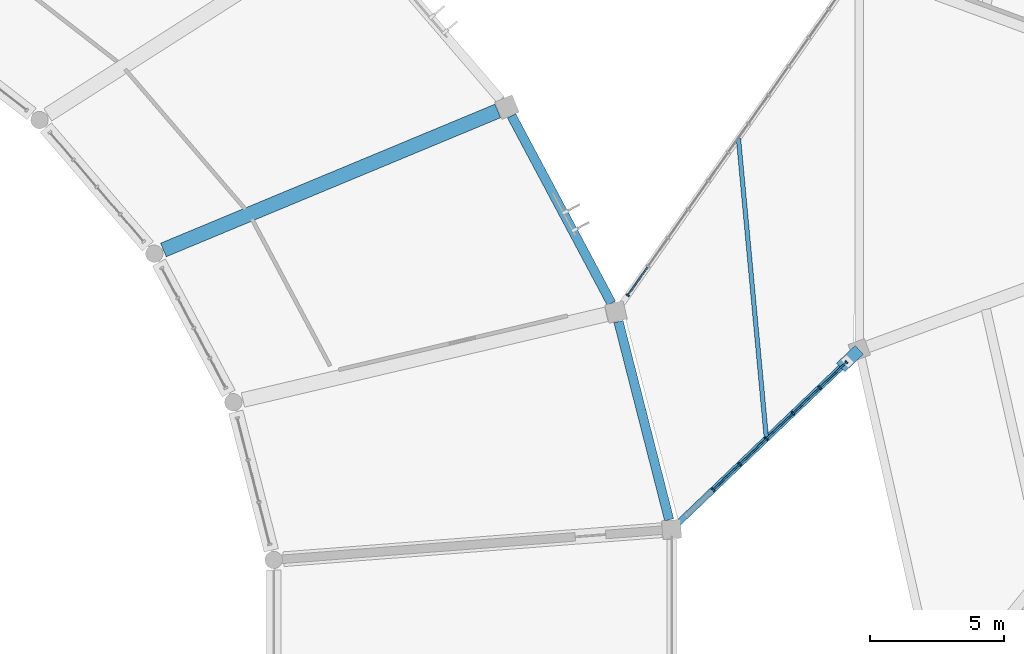
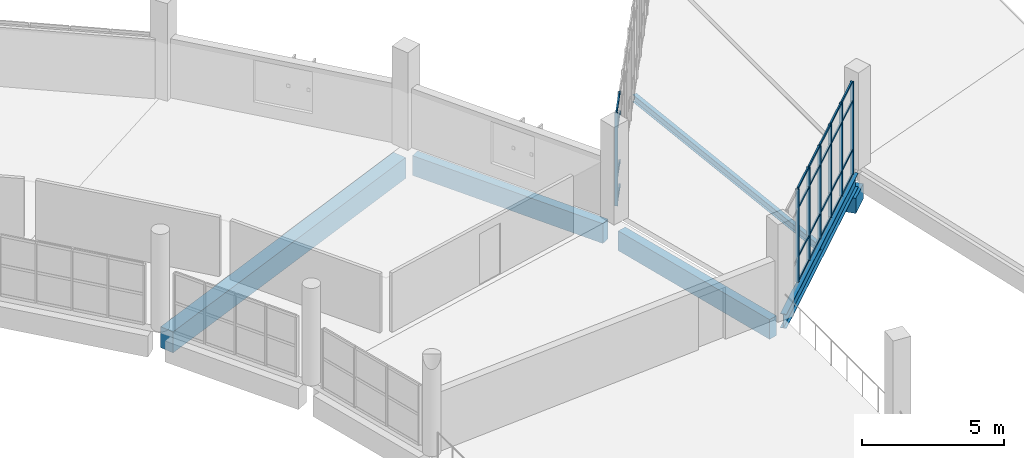
# One storey, part 51 of 142: 31 members, 6 beams, 2 elements without a shape of their own.
"""IFC4 building model written with IfcOpenShell, lengths in metres."""

from ifc_helpers import new_model, si_unit, direction, frame, origin, origin_2d, place, context, subcontext, project, spatial, rectangle, i_section, extrude, material, layer, layer_set, material_profile, profile_set, type_object, element, aggregate, save


model = new_model("IFC4")

# Units and contexts
model_context = context("Model", 3, precision=1e-05, world=origin(), true_north=direction((0.0, 1.0)))
body_context = subcontext(model_context, "Body", "Model", "MODEL_VIEW")
ifc_project = project(units=[si_unit("LENGTHUNIT", "METRE"), si_unit("AREAUNIT", "SQUARE_METRE"), si_unit("VOLUMEUNIT", "CUBIC_METRE"), si_unit("PLANEANGLEUNIT", "RADIAN"), si_unit("MASSUNIT", "GRAM", prefix="KILO")], contexts=[model_context])

# Site, building, storey
site_placement = place(None, origin())
site = spatial("IfcSite", under=ifc_project, at=site_placement, CompositionType="ELEMENT")
building_placement = place(site_placement, origin())
building = spatial("IfcBuilding", under=site, at=building_placement, Name="Corvandel Quay Wholesale Market", CompositionType="ELEMENT")
storey_placement = place(building_placement, frame((0.0, 0.0, 10.800048828125)))
storey = spatial("IfcBuildingStorey", under=building, at=storey_placement, Name="L02", CompositionType="ELEMENT", Elevation=10.800048828125)

# Beams
ifc_material_1 = material(Name="Steel A992 Grade 50", Category="steel")
ifc_material_profile_1 = material_profile(ifc_material_1, i_section(OverallWidth=0.1669921875, OverallDepth=0.318115234375, WebThickness=0.007568359375, FlangeThickness=0.01318359375, at=origin_2d()), Name="W12X35")
ifc_profile_set_1 = profile_set([ifc_material_profile_1], Name="Steel A992 Grade 50")
beam_type_1 = type_object("IfcBeamType", Name="Bridge Floor Steel Beam SB02 W12X35", PredefinedType="BEAM", material=ifc_profile_set_1)
beam_1_placement = place(storey_placement, frame((171.53515625, 49.532470703125, -0.380126953125), z_axis=(-0.092685397264, 0.995695443966, 0.0), x_axis=(-0.995695443966, -0.092685397264, 0.0)))
element("IfcBeam", 1, at=beam_1_placement, inside=storey, type_object=beam_type_1, Name="Beam BM-1800", PredefinedType="BEAM", context=body_context, shape_type="SweptSolid", body=[
    extrude(i_section(OverallWidth=0.1669921875, OverallDepth=0.318115234375, WebThickness=0.007568359375, FlangeThickness=0.01318359375, at=origin_2d()), origin(), (0.0, 0.0, 1.0), 11.252685546875),
])
ifc_material_profile_2 = material_profile(ifc_material_1, i_section(OverallWidth=0.22900390625, OverallDepth=0.612060546875, WebThickness=0.011962890625, FlangeThickness=0.01953125, at=origin_2d()), Name="W24X84")
ifc_profile_set_2 = profile_set([ifc_material_profile_2], Name="Steel A992 Grade 50")
beam_type_2 = type_object("IfcBeamType", Name="Bridge Link Steel Girder SG02 W24X84", PredefinedType="USERDEFINED", material=ifc_profile_set_2)
beam_2_placement = place(storey_placement, frame((168.263671875, 46.389404296875, -0.526123046875), z_axis=(0.722311160218, 0.691568209091, 0.0), x_axis=(-0.691568209091, 0.722311160218, 0.0)))
element("IfcBeam", 2, at=beam_2_placement, inside=storey, type_object=beam_type_2, Name="Beam BM-1797", ObjectType="GIRDER", PredefinedType="USERDEFINED", context=body_context, shape_type="SweptSolid", body=[
    extrude(i_section(OverallWidth=0.22900390625, OverallDepth=0.612060546875, WebThickness=0.011962890625, FlangeThickness=0.01953125, at=origin_2d()), origin(), (0.0, 0.0, 1.0), 9.06103515625),
])

# Curtain wall, members
ifc_material_2 = material(Name="Bronze anodised aluminium and low-E insulated glazing", Category="aluminium")
ifc_layer_1 = layer(ifc_material_2, 0.174072265625)
ifc_layer_set_1 = layer_set([ifc_layer_1], Name="Bronze anodised aluminium and low-E insulated glazing")
curtain_wall_type_1 = type_object("IfcCurtainWallType", Name="Stick Curtain Wall System CW27 H5430", PredefinedType="NOTDEFINED", material=ifc_layer_set_1)
curtain_wall_1_placement = place(storey_placement, origin())
curtain_wall_1 = element("IfcCurtainWall", 3, at=curtain_wall_1_placement, inside=storey, type_object=curtain_wall_type_1, Name="Curtain Wall CW-0178", PredefinedType="NOTDEFINED")
ifc_material_3 = material(Name="Anodised aluminium 6063-T6", Category="aluminium")
ifc_material_profile_3 = material_profile(ifc_material_3, rectangle(XDim=0.06005859375, YDim=0.1298828125, at=origin_2d()), Name="ALU-MUL-60x130")
ifc_profile_set_3 = profile_set([ifc_material_profile_3], Name="Anodised aluminium 6063-T6")
member_type_1 = type_object("IfcMemberType", Name="Clerestory Mullion ML03 60x130", PredefinedType="MULLION", material=ifc_profile_set_3)
member_1_placement = place(storey_placement, frame((169.547119140625, 47.6181640625, -0.030029296875), z_axis=(0.0, 0.0, 1.0), x_axis=(0.72236396206, 0.691513055782, 0.0)))
member_1 = element("IfcMember", 4, at=member_1_placement, type_object=member_type_1, Name="Mullion CW-0178-M01", PredefinedType="MULLION", context=body_context, shape_type="SweptSolid", body=[
    extrude(rectangle(XDim=0.06005859375, YDim=0.1298828125, at=origin_2d()), origin(), (0.0, 0.0, 1.0), 4.0),
])
member_2_placement = place(storey_placement, frame((170.54150390625, 48.5703125, -0.030029296875), z_axis=(0.0, 0.0, 1.0), x_axis=(0.72236396206, 0.691513055782, 0.0)))
member_2 = element("IfcMember", 5, at=member_2_placement, type_object=member_type_1, Name="Mullion CW-0178-M02", PredefinedType="MULLION", context=body_context, shape_type="SweptSolid", body=[
    extrude(rectangle(XDim=0.06005859375, YDim=0.1298828125, at=origin_2d()), origin(), (0.0, 0.0, 1.0), 4.0),
])
member_3_placement = place(storey_placement, frame((171.5361328125, 49.5224609375, -0.030029296875), z_axis=(0.0, 0.0, 1.0), x_axis=(0.72236396206, 0.691513055782, 0.0)))
member_3 = element("IfcMember", 6, at=member_3_placement, type_object=member_type_1, Name="Mullion CW-0178-M03", PredefinedType="MULLION", context=body_context, shape_type="SweptSolid", body=[
    extrude(rectangle(XDim=0.06005859375, YDim=0.1298828125, at=origin_2d()), origin(), (0.0, 0.0, 1.0), 4.0),
])
member_4_placement = place(storey_placement, frame((172.530517578125, 50.474609375, -0.030029296875), z_axis=(0.0, 0.0, 1.0), x_axis=(0.72236396206, 0.691513055782, 0.0)))
member_4 = element("IfcMember", 7, at=member_4_placement, type_object=member_type_1, Name="Mullion CW-0178-M04", PredefinedType="MULLION", context=body_context, shape_type="SweptSolid", body=[
    extrude(rectangle(XDim=0.06005859375, YDim=0.1298828125, at=origin_2d()), origin(), (0.0, 0.0, 1.0), 4.0),
])
member_5_placement = place(storey_placement, frame((173.525146484375, 51.427001953125, -0.030029296875), z_axis=(0.0, 0.0, 1.0), x_axis=(0.72236396206, 0.691513055782, 0.0)))
member_5 = element("IfcMember", 8, at=member_5_placement, type_object=member_type_1, Name="Mullion CW-0178-M05", PredefinedType="MULLION", context=body_context, shape_type="SweptSolid", body=[
    extrude(rectangle(XDim=0.06005859375, YDim=0.1298828125, at=origin_2d()), origin(), (0.0, 0.0, 1.0), 4.0),
])
member_6_placement = place(storey_placement, frame((174.519775390625, 52.379150390625, -0.030029296875), z_axis=(0.0, 0.0, 1.0), x_axis=(0.72236396206, 0.691513055782, 0.0)))
member_6 = element("IfcMember", 9, at=member_6_placement, type_object=member_type_1, Name="Mullion CW-0178-M06", PredefinedType="MULLION", context=body_context, shape_type="SweptSolid", body=[
    extrude(rectangle(XDim=0.06005859375, YDim=0.1298828125, at=origin_2d()), origin(), (0.0, 0.0, 1.0), 4.0),
])

# Curtain wall, member
ifc_layer_2 = layer(ifc_material_2, 0.14990234375)
ifc_layer_set_2 = layer_set([ifc_layer_2], Name="Bronze anodised aluminium and low-E insulated glazing")
curtain_wall_type_2 = type_object("IfcCurtainWallType", Name="Stick Curtain Wall System CW20 H4800", PredefinedType="NOTDEFINED", material=ifc_layer_set_2)
curtain_wall_2_placement = place(storey_placement, origin())
curtain_wall_2 = element("IfcCurtainWall", 10, at=curtain_wall_2_placement, inside=storey, type_object=curtain_wall_type_2, Name="Curtain Wall CW-0179", PredefinedType="NOTDEFINED")
member_7_placement = place(storey_placement, frame((166.364990234375, 54.876953125, -0.030029296875), z_axis=(0.0, 0.0, 1.0), x_axis=(0.575148037348, 0.818049347616, 0.0)))
member_7 = element("IfcMember", 11, at=member_7_placement, type_object=member_type_1, Name="Mullion CW-0179-M00", PredefinedType="MULLION", context=body_context, shape_type="SweptSolid", body=[
    extrude(rectangle(XDim=0.06005859375, YDim=0.1298828125, at=origin_2d()), origin(), (0.0, 0.0, 1.0), 4.0),
])

# Member
ifc_material_profile_4 = material_profile(ifc_material_3, rectangle(XDim=0.054931640625, YDim=0.094970703125, at=origin_2d()), Name="ALU-TRN-55x95")
ifc_profile_set_4 = profile_set([ifc_material_profile_4], Name="Anodised aluminium 6063-T6")
member_type_2 = type_object("IfcMemberType", Name="Clerestory Transom TR03 55x95", PredefinedType="USERDEFINED", material=ifc_profile_set_4)
member_8_placement = place(storey_placement, frame((169.568603515625, 47.638916015625, -0.030029296875), z_axis=(0.722416364456, 0.691458311373, 0.0), x_axis=(-0.691458311373, 0.722416364456, 0.0)))
member_8 = element("IfcMember", 12, at=member_8_placement, type_object=member_type_2, Name="Transom CW-0178-T01-0", ObjectType="TRANSOM", PredefinedType="USERDEFINED", context=body_context, shape_type="SweptSolid", body=[
    extrude(rectangle(XDim=0.054931640625, YDim=0.094970703125, at=origin_2d()), origin(), (0.0, 0.0, 1.0), 1.31689453125),
])

member_9_placement = place(storey_placement, frame((169.568603515625, 47.638916015625, 1.02001953125), z_axis=(0.722416364456, 0.691458311373, 0.0), x_axis=(-0.691458311373, 0.722416364456, 0.0)))
member_9 = element("IfcMember", 13, at=member_9_placement, type_object=member_type_2, Name="Transom CW-0178-T01-1", ObjectType="TRANSOM", PredefinedType="USERDEFINED", context=body_context, shape_type="SweptSolid", body=[
    extrude(rectangle(XDim=0.054931640625, YDim=0.094970703125, at=origin_2d()), origin(), (0.0, 0.0, 1.0), 1.31689453125),
])

member_10_placement = place(storey_placement, frame((169.568603515625, 47.638916015625, 3.119873046875), z_axis=(0.722416364456, 0.691458311373, 0.0), x_axis=(-0.691458311373, 0.722416364456, 0.0)))
member_10 = element("IfcMember", 14, at=member_10_placement, type_object=member_type_2, Name="Transom CW-0178-T01-2", ObjectType="TRANSOM", PredefinedType="USERDEFINED", context=body_context, shape_type="SweptSolid", body=[
    extrude(rectangle(XDim=0.054931640625, YDim=0.094970703125, at=origin_2d()), origin(), (0.0, 0.0, 1.0), 1.31689453125),
])

member_11_placement = place(storey_placement, frame((169.568603515625, 47.638916015625, 3.969970703125), z_axis=(0.722416364456, 0.691458311373, 0.0), x_axis=(-0.691458311373, 0.722416364456, 0.0)))
member_11 = element("IfcMember", 15, at=member_11_placement, type_object=member_type_2, Name="Transom CW-0178-T01-3", ObjectType="TRANSOM", PredefinedType="USERDEFINED", context=body_context, shape_type="SweptSolid", body=[
    extrude(rectangle(XDim=0.054931640625, YDim=0.094970703125, at=origin_2d()), origin(), (0.0, 0.0, 1.0), 1.31689453125),
])

member_12_placement = place(storey_placement, frame((170.563232421875, 48.591064453125, -0.030029296875), z_axis=(0.72232771493, 0.691550918041, 0.0), x_axis=(-0.691550918041, 0.72232771493, 0.0)))
member_12 = element("IfcMember", 16, at=member_12_placement, type_object=member_type_2, Name="Transom CW-0178-T02-0", ObjectType="TRANSOM", PredefinedType="USERDEFINED", context=body_context, shape_type="SweptSolid", body=[
    extrude(rectangle(XDim=0.054931640625, YDim=0.094970703125, at=origin_2d()), origin(), (0.0, 0.0, 1.0), 1.31689453125),
])

member_13_placement = place(storey_placement, frame((170.563232421875, 48.591064453125, 1.02001953125), z_axis=(0.72232771493, 0.691550918041, 0.0), x_axis=(-0.691550918041, 0.72232771493, 0.0)))
member_13 = element("IfcMember", 17, at=member_13_placement, type_object=member_type_2, Name="Transom CW-0178-T02-1", ObjectType="TRANSOM", PredefinedType="USERDEFINED", context=body_context, shape_type="SweptSolid", body=[
    extrude(rectangle(XDim=0.054931640625, YDim=0.094970703125, at=origin_2d()), origin(), (0.0, 0.0, 1.0), 1.31689453125),
])

member_14_placement = place(storey_placement, frame((170.563232421875, 48.591064453125, 3.119873046875), z_axis=(0.72232771493, 0.691550918041, 0.0), x_axis=(-0.691550918041, 0.72232771493, 0.0)))
member_14 = element("IfcMember", 18, at=member_14_placement, type_object=member_type_2, Name="Transom CW-0178-T02-2", ObjectType="TRANSOM", PredefinedType="USERDEFINED", context=body_context, shape_type="SweptSolid", body=[
    extrude(rectangle(XDim=0.054931640625, YDim=0.094970703125, at=origin_2d()), origin(), (0.0, 0.0, 1.0), 1.31689453125),
])

member_15_placement = place(storey_placement, frame((170.563232421875, 48.591064453125, 3.969970703125), z_axis=(0.72232771493, 0.691550918041, 0.0), x_axis=(-0.691550918041, 0.72232771493, 0.0)))
member_15 = element("IfcMember", 19, at=member_15_placement, type_object=member_type_2, Name="Transom CW-0178-T02-3", ObjectType="TRANSOM", PredefinedType="USERDEFINED", context=body_context, shape_type="SweptSolid", body=[
    extrude(rectangle(XDim=0.054931640625, YDim=0.094970703125, at=origin_2d()), origin(), (0.0, 0.0, 1.0), 1.31689453125),
])

member_16_placement = place(storey_placement, frame((171.557861328125, 49.543212890625, -0.030029296875), z_axis=(0.72223510694, 0.691647634495, 0.0), x_axis=(-0.691647634495, 0.72223510694, 0.0)))
member_16 = element("IfcMember", 20, at=member_16_placement, type_object=member_type_2, Name="Transom CW-0178-T03-0", ObjectType="TRANSOM", PredefinedType="USERDEFINED", context=body_context, shape_type="SweptSolid", body=[
    extrude(rectangle(XDim=0.054931640625, YDim=0.094970703125, at=origin_2d()), origin(), (0.0, 0.0, 1.0), 1.31689453125),
])

member_17_placement = place(storey_placement, frame((171.557861328125, 49.543212890625, 1.02001953125), z_axis=(0.72223510694, 0.691647634495, 0.0), x_axis=(-0.691647634495, 0.72223510694, 0.0)))
member_17 = element("IfcMember", 21, at=member_17_placement, type_object=member_type_2, Name="Transom CW-0178-T03-1", ObjectType="TRANSOM", PredefinedType="USERDEFINED", context=body_context, shape_type="SweptSolid", body=[
    extrude(rectangle(XDim=0.054931640625, YDim=0.094970703125, at=origin_2d()), origin(), (0.0, 0.0, 1.0), 1.31689453125),
])

member_18_placement = place(storey_placement, frame((171.557861328125, 49.543212890625, 3.119873046875), z_axis=(0.72223510694, 0.691647634495, 0.0), x_axis=(-0.691647634495, 0.72223510694, 0.0)))
member_18 = element("IfcMember", 22, at=member_18_placement, type_object=member_type_2, Name="Transom CW-0178-T03-2", ObjectType="TRANSOM", PredefinedType="USERDEFINED", context=body_context, shape_type="SweptSolid", body=[
    extrude(rectangle(XDim=0.054931640625, YDim=0.094970703125, at=origin_2d()), origin(), (0.0, 0.0, 1.0), 1.31689453125),
])

member_19_placement = place(storey_placement, frame((171.557861328125, 49.543212890625, 3.969970703125), z_axis=(0.72223510694, 0.691647634495, 0.0), x_axis=(-0.691647634495, 0.72223510694, 0.0)))
member_19 = element("IfcMember", 23, at=member_19_placement, type_object=member_type_2, Name="Transom CW-0178-T03-3", ObjectType="TRANSOM", PredefinedType="USERDEFINED", context=body_context, shape_type="SweptSolid", body=[
    extrude(rectangle(XDim=0.054931640625, YDim=0.094970703125, at=origin_2d()), origin(), (0.0, 0.0, 1.0), 1.31689453125),
])

member_20_placement = place(storey_placement, frame((172.55224609375, 50.49560546875, -0.030029296875), z_axis=(0.72232771493, 0.691550918041, 0.0), x_axis=(-0.691550918041, 0.72232771493, 0.0)))
member_20 = element("IfcMember", 24, at=member_20_placement, type_object=member_type_2, Name="Transom CW-0178-T04-0", ObjectType="TRANSOM", PredefinedType="USERDEFINED", context=body_context, shape_type="SweptSolid", body=[
    extrude(rectangle(XDim=0.054931640625, YDim=0.094970703125, at=origin_2d()), origin(), (0.0, 0.0, 1.0), 1.31689453125),
])

member_21_placement = place(storey_placement, frame((172.55224609375, 50.49560546875, 1.02001953125), z_axis=(0.72232771493, 0.691550918041, 0.0), x_axis=(-0.691550918041, 0.72232771493, 0.0)))
member_21 = element("IfcMember", 25, at=member_21_placement, type_object=member_type_2, Name="Transom CW-0178-T04-1", ObjectType="TRANSOM", PredefinedType="USERDEFINED", context=body_context, shape_type="SweptSolid", body=[
    extrude(rectangle(XDim=0.054931640625, YDim=0.094970703125, at=origin_2d()), origin(), (0.0, 0.0, 1.0), 1.31689453125),
])

member_22_placement = place(storey_placement, frame((172.55224609375, 50.49560546875, 3.119873046875), z_axis=(0.72232771493, 0.691550918041, 0.0), x_axis=(-0.691550918041, 0.72232771493, 0.0)))
member_22 = element("IfcMember", 26, at=member_22_placement, type_object=member_type_2, Name="Transom CW-0178-T04-2", ObjectType="TRANSOM", PredefinedType="USERDEFINED", context=body_context, shape_type="SweptSolid", body=[
    extrude(rectangle(XDim=0.054931640625, YDim=0.094970703125, at=origin_2d()), origin(), (0.0, 0.0, 1.0), 1.31689453125),
])

member_23_placement = place(storey_placement, frame((172.55224609375, 50.49560546875, 3.969970703125), z_axis=(0.72232771493, 0.691550918041, 0.0), x_axis=(-0.691550918041, 0.72232771493, 0.0)))
member_23 = element("IfcMember", 27, at=member_23_placement, type_object=member_type_2, Name="Transom CW-0178-T04-3", ObjectType="TRANSOM", PredefinedType="USERDEFINED", context=body_context, shape_type="SweptSolid", body=[
    extrude(rectangle(XDim=0.054931640625, YDim=0.094970703125, at=origin_2d()), origin(), (0.0, 0.0, 1.0), 1.31689453125),
])

member_24_placement = place(storey_placement, frame((173.546875, 51.44775390625, -0.030029296875), z_axis=(0.72232771493, 0.691550918041, 0.0), x_axis=(-0.691550918041, 0.72232771493, 0.0)))
member_24 = element("IfcMember", 28, at=member_24_placement, type_object=member_type_2, Name="Transom CW-0178-T05-0", ObjectType="TRANSOM", PredefinedType="USERDEFINED", context=body_context, shape_type="SweptSolid", body=[
    extrude(rectangle(XDim=0.054931640625, YDim=0.094970703125, at=origin_2d()), origin(), (0.0, 0.0, 1.0), 1.31689453125),
])

member_25_placement = place(storey_placement, frame((173.546875, 51.44775390625, 1.02001953125), z_axis=(0.72232771493, 0.691550918041, 0.0), x_axis=(-0.691550918041, 0.72232771493, 0.0)))
member_25 = element("IfcMember", 29, at=member_25_placement, type_object=member_type_2, Name="Transom CW-0178-T05-1", ObjectType="TRANSOM", PredefinedType="USERDEFINED", context=body_context, shape_type="SweptSolid", body=[
    extrude(rectangle(XDim=0.054931640625, YDim=0.094970703125, at=origin_2d()), origin(), (0.0, 0.0, 1.0), 1.31689453125),
])

member_26_placement = place(storey_placement, frame((173.546875, 51.44775390625, 3.119873046875), z_axis=(0.72232771493, 0.691550918041, 0.0), x_axis=(-0.691550918041, 0.72232771493, 0.0)))
member_26 = element("IfcMember", 30, at=member_26_placement, type_object=member_type_2, Name="Transom CW-0178-T05-2", ObjectType="TRANSOM", PredefinedType="USERDEFINED", context=body_context, shape_type="SweptSolid", body=[
    extrude(rectangle(XDim=0.054931640625, YDim=0.094970703125, at=origin_2d()), origin(), (0.0, 0.0, 1.0), 1.31689453125),
])

member_27_placement = place(storey_placement, frame((173.546875, 51.44775390625, 3.969970703125), z_axis=(0.72232771493, 0.691550918041, 0.0), x_axis=(-0.691550918041, 0.72232771493, 0.0)))
member_27 = element("IfcMember", 31, at=member_27_placement, type_object=member_type_2, Name="Transom CW-0178-T05-3", ObjectType="TRANSOM", PredefinedType="USERDEFINED", context=body_context, shape_type="SweptSolid", body=[
    extrude(rectangle(XDim=0.054931640625, YDim=0.094970703125, at=origin_2d()), origin(), (0.0, 0.0, 1.0), 1.31689453125),
])

aggregate(curtain_wall_1, [member_1, member_2, member_3, member_4, member_5, member_6, member_8, member_9, member_10, member_11, member_12, member_13, member_14, member_15, member_16, member_17, member_18, member_19, member_20, member_21, member_22, member_23, member_24, member_25, member_26, member_27])

member_28_placement = place(storey_placement, frame((166.382080078125, 54.9013671875, -0.030029296875), z_axis=(0.575080360651, 0.81809692506, 0.0), x_axis=(-0.81809692506, 0.575080360651, 0.0)))
member_28 = element("IfcMember", 32, at=member_28_placement, type_object=member_type_2, Name="Transom CW-0179-T00-0", ObjectType="TRANSOM", PredefinedType="USERDEFINED", context=body_context, shape_type="SweptSolid", body=[
    extrude(rectangle(XDim=0.054931640625, YDim=0.094970703125, at=origin_2d()), origin(), (0.0, 0.0, 1.0), 1.24462890625),
])

member_29_placement = place(storey_placement, frame((166.382080078125, 54.9013671875, 1.02001953125), z_axis=(0.575080360651, 0.81809692506, 0.0), x_axis=(-0.81809692506, 0.575080360651, 0.0)))
member_29 = element("IfcMember", 33, at=member_29_placement, type_object=member_type_2, Name="Transom CW-0179-T00-1", ObjectType="TRANSOM", PredefinedType="USERDEFINED", context=body_context, shape_type="SweptSolid", body=[
    extrude(rectangle(XDim=0.054931640625, YDim=0.094970703125, at=origin_2d()), origin(), (0.0, 0.0, 1.0), 1.24462890625),
])

member_30_placement = place(storey_placement, frame((166.382080078125, 54.9013671875, 3.119873046875), z_axis=(0.575080360651, 0.81809692506, 0.0), x_axis=(-0.81809692506, 0.575080360651, 0.0)))
member_30 = element("IfcMember", 34, at=member_30_placement, type_object=member_type_2, Name="Transom CW-0179-T00-2", ObjectType="TRANSOM", PredefinedType="USERDEFINED", context=body_context, shape_type="SweptSolid", body=[
    extrude(rectangle(XDim=0.054931640625, YDim=0.094970703125, at=origin_2d()), origin(), (0.0, 0.0, 1.0), 1.24462890625),
])

member_31_placement = place(storey_placement, frame((166.382080078125, 54.9013671875, 3.969970703125), z_axis=(0.575080360651, 0.81809692506, 0.0), x_axis=(-0.81809692506, 0.575080360651, 0.0)))
member_31 = element("IfcMember", 35, at=member_31_placement, type_object=member_type_2, Name="Transom CW-0179-T00-3", ObjectType="TRANSOM", PredefinedType="USERDEFINED", context=body_context, shape_type="SweptSolid", body=[
    extrude(rectangle(XDim=0.054931640625, YDim=0.094970703125, at=origin_2d()), origin(), (0.0, 0.0, 1.0), 1.24462890625),
])

aggregate(curtain_wall_2, [member_7, member_28, member_29, member_30, member_31])

# Beams
ifc_material_4 = material(Name="Precast concrete C45/55", Category="concrete")
ifc_material_profile_5 = material_profile(ifc_material_4, rectangle(XDim=0.35009765625, YDim=0.85009765625, at=origin_2d()), Name="PC-SPN-350x850")
ifc_profile_set_5 = profile_set([ifc_material_profile_5], Name="Precast concrete C45/55")
beam_type_3 = type_object("IfcBeamType", Name="Perimeter Precast Spandrel SP01 350x850", PredefinedType="SPANDREL", material=ifc_profile_set_5)
beam_3_placement = place(storey_placement, frame((167.908203125, 46.49560546875, -0.7451171875), z_axis=(-0.247753681304, 0.968823055775, 0.0), x_axis=(-0.968823055775, -0.247753681304, 0.0)))
element("IfcBeam", 36, at=beam_3_placement, inside=storey, type_object=beam_type_3, Name="Beam BM-0007", PredefinedType="SPANDREL", context=body_context, shape_type="SweptSolid", body=[
    extrude(rectangle(XDim=0.35009765625, YDim=0.85009765625, at=origin_2d()), origin(), (0.0, 0.0, 1.0), 7.635009765625),
])
beam_4_placement = place(storey_placement, frame((165.751220703125, 54.57763671875, -0.7451171875), z_axis=(-0.470148166792, 0.882587503459, 0.0), x_axis=(-0.882587503459, -0.470148166792, 0.0)))
element("IfcBeam", 37, at=beam_4_placement, inside=storey, type_object=beam_type_3, Name="Beam BM-0020", PredefinedType="SPANDREL", context=body_context, shape_type="SweptSolid", body=[
    extrude(rectangle(XDim=0.35009765625, YDim=0.85009765625, at=origin_2d()), origin(), (0.0, 0.0, 1.0), 7.919677734375),
])
ifc_material_profile_6 = material_profile(ifc_material_4, rectangle(XDim=0.550048828125, YDim=0.89990234375, at=origin_2d()), Name="PC-GIR-550x900")
ifc_profile_set_6 = profile_set([ifc_material_profile_6], Name="Precast concrete C45/55")
beam_type_4 = type_object("IfcBeamType", Name="Produce Hall Radial Girder G03 550x900", PredefinedType="USERDEFINED", material=ifc_profile_set_6)
beam_5_placement = place(storey_placement, frame((161.51220703125, 61.751953125, -0.77001953125), z_axis=(-0.923380274271, -0.383886531527, 0.0), x_axis=(0.383886531527, -0.923380274271, 0.0)))
element("IfcBeam", 38, at=beam_5_placement, inside=storey, type_object=beam_type_4, Name="Beam BM-0036", ObjectType="GIRDER", PredefinedType="USERDEFINED", context=body_context, shape_type="SweptSolid", body=[
    extrude(rectangle(XDim=0.550048828125, YDim=0.89990234375, at=origin_2d()), origin(), (0.0, 0.0, 1.0), 13.51171875),
])
ifc_material_profile_7 = material_profile(ifc_material_4, rectangle(XDim=0.449951171875, YDim=0.64990234375, at=origin_2d()), Name="PC-COR-680x650")
ifc_profile_set_7 = profile_set([ifc_material_profile_7], Name="Precast concrete C45/55")
beam_type_5 = type_object("IfcBeamType", Name="Seismic Joint Precast Corbel CB01 680x650", PredefinedType="BEAM", material=ifc_profile_set_7)
beam_6_placement = place(storey_placement, frame((175.0, 52.839111328125, -1.156982421875), z_axis=(-0.722280835908, -0.691599880046, 0.0), x_axis=(0.691599880046, -0.722280835908, 0.0)))
element("IfcBeam", 39, at=beam_6_placement, inside=storey, type_object=beam_type_5, Name="Beam BM-1796", PredefinedType="BEAM", context=body_context, shape_type="SweptSolid", body=[
    extrude(rectangle(XDim=0.449951171875, YDim=0.64990234375, at=origin_2d()), origin(), (0.0, 0.0, 1.0), 0.954833984375),
])

save(model, "model.ifc")
